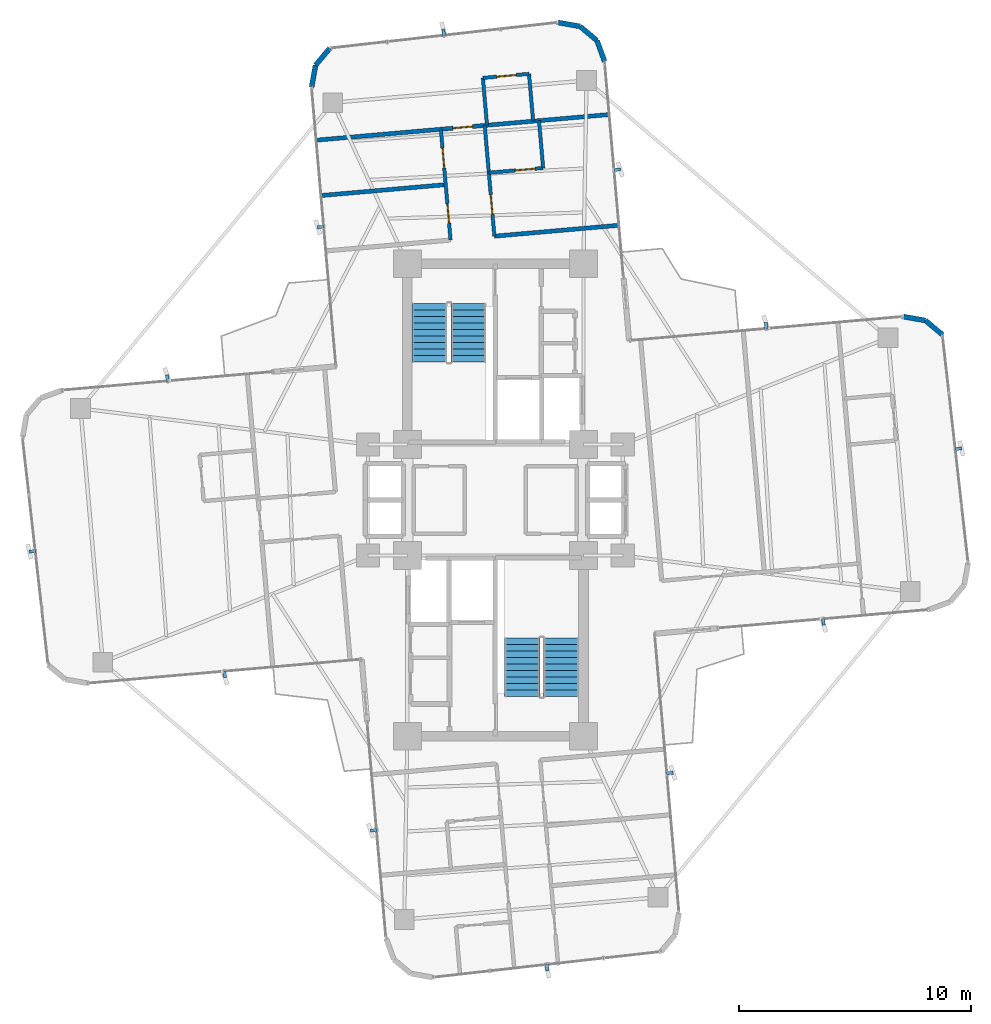
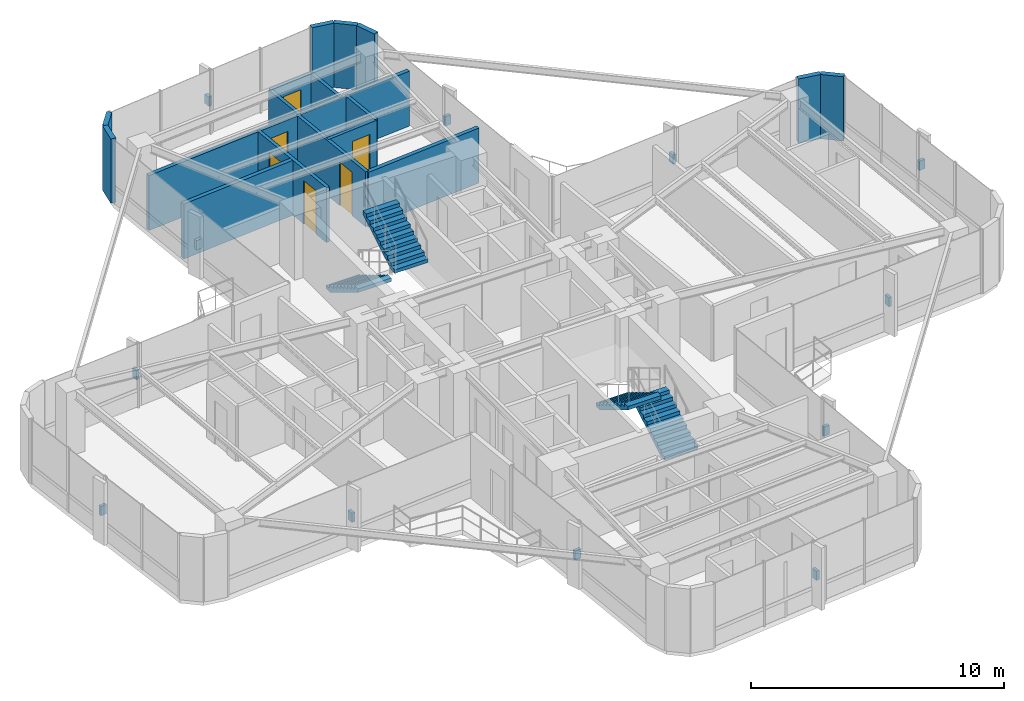
# One storey, part 23 of 24: 17 walls, 12 discrete accessories, 6 doors, 4 stair flights, 6 openings, 2 elements without a shape of their own.
"""IFC4 building model written with IfcOpenShell, lengths in metres."""

from ifc_helpers import new_model, si_unit, direction, frame, frame_2d, origin, origin_2d, place, context, subcontext, project, spatial, polyline, rectangle, outline, extrude, source, transform, mapped, material, layer, layer_set, type_object, element, fill, aggregate, save


model = new_model("IFC4")

# Units and contexts
model_context = context("Model", 3, precision=1e-05, world=origin(), true_north=direction((0.0, 1.0)))
body_context = subcontext(model_context, "Body", "Model", "MODEL_VIEW")
ifc_project = project(units=[si_unit("LENGTHUNIT", "METRE"), si_unit("AREAUNIT", "SQUARE_METRE"), si_unit("VOLUMEUNIT", "CUBIC_METRE"), si_unit("PLANEANGLEUNIT", "RADIAN"), si_unit("MASSUNIT", "GRAM", prefix="KILO")], contexts=[model_context])

# Site, building, storey
site_placement = place(None, origin())
site = spatial("IfcSite", under=ifc_project, at=site_placement, CompositionType="ELEMENT")
building_placement = place(site_placement, origin())
building = spatial("IfcBuilding", under=site, at=building_placement, Name="Sahyath Konkavel Grand Hotel", CompositionType="ELEMENT")
storey_placement = place(building_placement, frame((0.0, 0.0, 181.89990234375)))
storey = spatial("IfcBuildingStorey", under=building, at=storey_placement, Name="L50", CompositionType="ELEMENT", Elevation=181.89990234375)

# Walls
ifc_material_1 = material(Name="Warm Buff Sandstone Insulated Concrete C40/50", Category="masonry")
ifc_layer_1 = layer(ifc_material_1, 0.219970703125)
ifc_layer_set_1 = layer_set([ifc_layer_1], Name="Warm Buff Sandstone Insulated Concrete C40/50")
wall_type_1 = type_object("IfcWallType", Name="WLL-BALC-THRESH", PredefinedType="STANDARD", material=ifc_layer_set_1)
wall_1_placement = place(storey_placement, frame((19.3037109375, 7.134521484375, 0.0), z_axis=(0.0, 0.0, 1.0), x_axis=(-0.766001159887, 0.642839189107, 0.0)))
element("IfcWall", 1, at=wall_1_placement, inside=storey, type_object=wall_type_1, Name="L50 Rounded Corner Sandstone Pier 5", PredefinedType="STANDARD", context=body_context, shape_type="SweptSolid", body=[
    extrude(rectangle(XDim=0.95751953125, YDim=0.219970703125, at=frame_2d((0.478759765625, 0.0))), origin(), (0.0, 0.0, 1.0), 3.110107421875),
])
wall_2_placement = place(storey_placement, frame((18.5703125, 7.75, 0.0), z_axis=(0.0, 0.0, 1.0), x_axis=(-0.984770724397, 0.173858046606, 0.0)))
element("IfcWall", 2, at=wall_2_placement, inside=storey, type_object=wall_type_1, Name="L50 Rounded Corner Sandstone Pier 6", PredefinedType="STANDARD", context=body_context, shape_type="SweptSolid", body=[
    extrude(rectangle(XDim=0.957763671875, YDim=0.219970703125, at=frame_2d((0.47900390625, 0.0))), origin(), (0.0, 0.0, 1.0), 3.110107421875),
])
wall_3_placement = place(storey_placement, frame((4.7177734375, 18.93310546875, 0.0), z_axis=(0.0, 0.0, 1.0), x_axis=(-0.34188635151, 0.939741306239, 0.0)))
element("IfcWall", 3, at=wall_3_placement, inside=storey, type_object=wall_type_1, Name="L50 Rounded Corner Sandstone Pier 9", PredefinedType="STANDARD", context=body_context, shape_type="SweptSolid", body=[
    extrude(rectangle(XDim=0.95751953125, YDim=0.219970703125, at=frame_2d((0.478759765625, 0.0))), origin(), (0.0, 0.0, 1.0), 3.110107421875),
])
for number, where, z_axis, x_axis, name in (
    (4, (4.390380859375, 19.8330078125, 0.0), (0.0, 0.0, 1.0), (-0.765980978054, 0.642863236823, 0.0), "L50 Rounded Corner Sandstone Pier 10"),
    (5, (3.65673828125, 20.44873046875, 0.0), (0.0, 0.0, 1.0), (-0.984814340885, 0.173610811841, 0.0), "L50 Rounded Corner Sandstone Pier 11"),
):
    element("IfcWall", number, at=place(storey_placement, frame(where, z_axis=z_axis, x_axis=x_axis)), inside=storey, type_object=wall_type_1, Name=name, PredefinedType="STANDARD", context=body_context, shape_type="SweptSolid", body=[
        extrude(rectangle(XDim=0.957763671875, YDim=0.219970703125, at=frame_2d((0.47900390625, 0.0))), origin(), (0.0, 0.0, 1.0), 3.110107421875),
    ])
for number, where, z_axis, x_axis, name in (
    (6, (-7.152099609375, 19.5029296875, 0.0), (0.0, 0.0, 1.0), (-0.642713642115, -0.766106503196, 0.0), "L50 Rounded Corner Sandstone Pier 13"),
    (7, (-7.767578125, 18.769287109375, 0.0), (0.0, 0.0, 1.0), (-0.173654409999, -0.984806654064, 0.0), "L50 Rounded Corner Sandstone Pier 14"),
):
    element("IfcWall", number, at=place(storey_placement, frame(where, z_axis=z_axis, x_axis=x_axis)), inside=storey, type_object=wall_type_1, Name=name, PredefinedType="STANDARD", context=body_context, shape_type="SweptSolid", body=[
        extrude(rectangle(XDim=0.95751953125, YDim=0.219970703125, at=frame_2d((0.478759765625, 0.0))), origin(), (0.0, 0.0, 1.0), 3.110107421875),
    ])
ifc_material_2 = material(Name="Twin-Stud Acoustic Gypsum Plasterboard Partition")
ifc_layer_2 = layer(ifc_material_2, 0.179931640625)
ifc_layer_set_2 = layer_set([ifc_layer_2], Name="Twin-Stud Acoustic Gypsum Plasterboard Partition")
wall_type_2 = type_object("IfcWallType", Name="WLL-DEMISE-180", PredefinedType="PARTITIONING", material=ifc_layer_set_2)
for number, where, z_axis, x_axis, name in (
    (8, (5.286865234375, 11.85595703125, 0.0), (0.0, 0.0, 1.0), (-0.996194212812, -0.087161289348, 0.0), "L50 Partition N-INR"),
    (9, (-2.144775390625, 13.614990234375, 0.0), (0.0, 0.0, 1.0), (-0.996194212812, -0.087161289348, 0.0), "L50 Partition N-N4L1-DEM"),
):
    element("IfcWall", number, at=place(storey_placement, frame(where, z_axis=z_axis, x_axis=x_axis)), inside=storey, type_object=wall_type_2, Name=name, PredefinedType="PARTITIONING", context=body_context, shape_type="SweptSolid", body=[
        extrude(rectangle(XDim=5.349853515625, YDim=0.179931640625, at=frame_2d((2.6748046875, 0.0))), origin(), (0.0, 0.0, 1.0), 2.66015625),
    ])

# Wall, opening, door
wall_4_placement = place(storey_placement, frame((4.868408203125, 16.6376953125, 0.0), z_axis=(0.0, 0.0, 1.0), x_axis=(-0.996194790044, -0.087154691724, 0.0)))
wall_4 = element("IfcWall", 10, at=wall_4_placement, inside=storey, type_object=wall_type_2, Name="L50 Partition N-NTIP-END", PredefinedType="PARTITIONING", context=body_context, shape_type="SweptSolid", body=[
    extrude(rectangle(XDim=12.599853515625, YDim=0.179931640625, at=frame_2d((6.2998046875, 0.0))), origin(), (0.0, 0.0, 1.0), 2.66015625),
])
opening_1_placement = place(wall_4_placement, frame((5.875, 0.0, 0.0)))
opening_1 = element("IfcOpeningElement", 11, at=opening_1_placement, cuts=wall_4, Name="Opening D-F06D", PredefinedType="OPENING", context=body_context, shape_type="SweptSolid", body=[
    extrude(rectangle(XDim=0.85009765625, YDim=2.10009765625, at=frame_2d((0.425048828125, 1.050048828125))), frame((0.0, 0.10009765625, 0.0), z_axis=(0.0, -1.0, 0.0), x_axis=(1.0, 0.0, 0.0)), (0.0, 0.0, 1.0), 0.199951171875),
])
ifc_material_3 = material(Name="Fire-Rated Shaft Access Door")
door_type_1 = type_object("IfcDoorType", Name="DR-FD60-850", OperationType="NOTDEFINED", PredefinedType="DOOR", material=ifc_material_3)
shared_shape_1 = source(origin(), body_context, "Body", "SweptSolid", [
    extrude(rectangle(XDim=0.85009765625, YDim=0.050048828125, at=origin_2d()), origin(), (0.0, 0.0, 1.0), 2.10009765625),
])
door_1_placement = place(opening_1_placement, frame((0.425048828125, 0.0, 0.0)))
door_1 = element("IfcDoor", 12, at=door_1_placement, inside=storey, type_object=door_type_1, Name="L50 Door N-NTIP-ED", OperationType="SINGLE_SWING_LEFT", OverallHeight=2.10009765625, OverallWidth=0.85009765625, PredefinedType="DOOR", context=body_context, shape_type="MappedRepresentation", body=[
    mapped(shared_shape_1, transform((0.0, 0.0, 0.0), scale=1.0)),
])
fill(opening_1, door_1)

# Wall, openings, doors
ifc_material_4 = material(Name="Fire-Rated Gypsum Plasterboard Partition")
ifc_layer_3 = layer(ifc_material_4, 0.14990234375)
ifc_layer_set_3 = layer_set([ifc_layer_3], Name="Fire-Rated Gypsum Plasterboard Partition")
wall_type_3 = type_object("IfcWallType", Name="WLL-PART-150", PredefinedType="PARTITIONING", material=ifc_layer_set_3)
wall_5_placement = place(storey_placement, frame((-1.935546875, 11.22412109375, 0.0), z_axis=(0.0, 0.0, 1.0), x_axis=(-0.087182724829, 0.996192337097, 0.0)))
wall_5 = element("IfcWall", 13, at=wall_5_placement, inside=storey, type_object=wall_type_3, Name="L50 Partition N-CL", PredefinedType="PARTITIONING", context=body_context, shape_type="SweptSolid", body=[
    extrude(rectangle(XDim=4.7998046875, YDim=0.14990234375, at=frame_2d((2.39990234375, 0.0))), origin(), (0.0, 0.0, 1.0), 2.66015625),
])
opening_2_placement = place(wall_5_placement, frame((0.72509765625, 0.0, 0.0)))
opening_2 = element("IfcOpeningElement", 14, at=opening_2_placement, cuts=wall_5, Name="Opening D-F06D", PredefinedType="OPENING", context=body_context, shape_type="SweptSolid", body=[
    extrude(rectangle(XDim=0.85009765625, YDim=2.10009765625, at=frame_2d((0.425048828125, 1.050048828125))), frame((0.0, 0.0849609375, 0.0), z_axis=(0.0, -1.0, 0.0), x_axis=(1.0, 0.0, 0.0)), (0.0, 0.0, 1.0), 0.169921875),
])
opening_3_placement = place(wall_5_placement, frame((3.125, 0.0, 0.0)))
opening_3 = element("IfcOpeningElement", 15, at=opening_3_placement, cuts=wall_5, Name="Opening D-F06D", PredefinedType="OPENING", context=body_context, shape_type="SweptSolid", body=[
    extrude(rectangle(XDim=0.85009765625, YDim=2.10009765625, at=frame_2d((0.425048828125, 1.050048828125))), frame((0.0, 0.0849609375, 0.0), z_axis=(0.0, -1.0, 0.0), x_axis=(1.0, 0.0, 0.0)), (0.0, 0.0, 1.0), 0.169921875),
])
door_2_placement = place(opening_2_placement, frame((0.425048828125, 0.0, 0.0)))
door_2 = element("IfcDoor", 16, at=door_2_placement, inside=storey, type_object=door_type_1, Name="L50 Door N-N4L1-D", OperationType="SINGLE_SWING_RIGHT", OverallHeight=2.10009765625, OverallWidth=0.85009765625, PredefinedType="DOOR", context=body_context, shape_type="MappedRepresentation", body=[
    mapped(shared_shape_1, transform((0.0, 0.0, 0.0), scale=1.0)),
])
fill(opening_2, door_2)
door_3_placement = place(opening_3_placement, frame((0.425048828125, 0.0, 0.0)))
door_3 = element("IfcDoor", 17, at=door_3_placement, inside=storey, type_object=door_type_1, Name="L50 Door N-N4L2-D", OperationType="SINGLE_SWING_LEFT", OverallHeight=2.10009765625, OverallWidth=0.85009765625, PredefinedType="DOOR", context=body_context, shape_type="MappedRepresentation", body=[
    mapped(shared_shape_1, transform((0.0, 0.0, 0.0), scale=1.0)),
])
fill(opening_3, door_3)

# Wall, opening, door
wall_6_placement = place(storey_placement, frame((-0.042724609375, 11.3896484375, 0.0), z_axis=(0.0, 0.0, 1.0), x_axis=(-0.087178307383, 0.996192723684, 0.0)))
wall_6 = element("IfcWall", 18, at=wall_6_placement, inside=storey, type_object=wall_type_3, Name="L50 Partition N-CR", PredefinedType="PARTITIONING", context=body_context, shape_type="SweptSolid", body=[
    extrude(rectangle(XDim=4.800048828125, YDim=0.14990234375, at=frame_2d((2.39990234375, 0.0))), origin(), (0.0, 0.0, 1.0), 2.66015625),
])
opening_4_placement = place(wall_6_placement, frame((0.949951171875, 0.0, 0.0)))
opening_4 = element("IfcOpeningElement", 19, at=opening_4_placement, cuts=wall_6, Name="Opening D-F06D", PredefinedType="OPENING", context=body_context, shape_type="SweptSolid", body=[
    extrude(rectangle(XDim=0.85009765625, YDim=2.10009765625, at=frame_2d((0.425048828125, 1.050048828125))), frame((0.0, 0.0849609375, 0.0), z_axis=(0.0, -1.0, 0.0), x_axis=(1.0, 0.0, 0.0)), (0.0, 0.0, 1.0), 0.169921875),
])
door_4_placement = place(opening_4_placement, frame((0.425048828125, 0.0, 0.0)))
door_4 = element("IfcDoor", 20, at=door_4_placement, inside=storey, type_object=door_type_1, Name="L50 Door N-N4R1-ED", OperationType="SINGLE_SWING_LEFT", OverallHeight=2.10009765625, OverallWidth=0.85009765625, PredefinedType="DOOR", context=body_context, shape_type="MappedRepresentation", body=[
    mapped(shared_shape_1, transform((0.0, 0.0, 0.0), scale=1.0)),
])
fill(opening_4, door_4)

wall_7_placement = place(storey_placement, frame((-0.282470703125, 14.129150390625, 0.0), z_axis=(0.0, 0.0, 1.0), x_axis=(0.996197656711, 0.087121918963, 0.0)))
wall_7 = element("IfcWall", 21, at=wall_7_placement, inside=storey, type_object=wall_type_3, Name="L50 Partition N-N4R1-BS", PredefinedType="PARTITIONING", context=body_context, shape_type="SweptSolid", body=[
    extrude(rectangle(XDim=2.35400390625, YDim=0.14990234375, at=frame_2d((1.177001953125, 0.0))), origin(), (0.0, 0.0, 1.0), 2.66015625),
])
opening_5_placement = place(wall_7_placement, frame((1.154052734375, 0.0, 0.0)))
opening_5 = element("IfcOpeningElement", 22, at=opening_5_placement, cuts=wall_7, Name="Opening D-BT85", PredefinedType="OPENING", context=body_context, shape_type="SweptSolid", body=[
    extrude(rectangle(XDim=0.85009765625, YDim=2.10009765625, at=frame_2d((0.425048828125, 1.050048828125))), frame((0.0, 0.0849609375, 0.0), z_axis=(0.0, -1.0, 0.0), x_axis=(1.0, 0.0, 0.0)), (0.0, 0.0, 1.0), 0.169921875),
])
ifc_material_5 = material(Name="Moisture-Resistant Teak Bathroom Door")
door_type_2 = type_object("IfcDoorType", Name="DR-BATH-850", OperationType="NOTDEFINED", PredefinedType="DOOR", material=ifc_material_5)
door_5_placement = place(opening_5_placement, frame((0.425048828125, 0.0, 0.0)))
door_5 = element("IfcDoor", 23, at=door_5_placement, inside=storey, type_object=door_type_2, Name="L50 Door N-N4R1-BD", OperationType="SINGLE_SWING_RIGHT", OverallHeight=2.10009765625, OverallWidth=0.85009765625, PredefinedType="DOOR", context=body_context, shape_type="MappedRepresentation", body=[
    mapped(shared_shape_1, transform((0.0, 0.0, 0.0), scale=1.0)),
])
fill(opening_5, door_5)

# Walls
for number, where, z_axis, x_axis, name in (
    (24, (2.0625, 14.334228515625, 0.0), (0.0, 0.0, 1.0), (-0.087174336889, 0.99619307114, 0.0), "L50 Partition N-N4R1-BF"),
    (25, (-0.361572265625, 16.18017578125, 0.0), (0.0, 0.0, 1.0), (-0.087174336889, 0.99619307114, 0.0), "L50 Partition N-NTIP-BN"),
):
    element("IfcWall", number, at=place(storey_placement, frame(where, z_axis=z_axis, x_axis=x_axis)), inside=storey, type_object=wall_type_3, Name=name, PredefinedType="PARTITIONING", context=body_context, shape_type="SweptSolid", body=[
        extrude(rectangle(XDim=2.050048828125, YDim=0.14990234375, at=frame_2d((1.02490234375, 0.0))), origin(), (0.0, 0.0, 1.0), 2.66015625),
    ])
wall_8_placement = place(storey_placement, frame((1.630859375, 16.3544921875, 0.0), z_axis=(0.0, 0.0, 1.0), x_axis=(-0.087184680235, 0.996192165966, 0.0)))
element("IfcWall", 26, at=wall_8_placement, inside=storey, type_object=wall_type_3, Name="L50 Partition N-NTIP-BS", PredefinedType="PARTITIONING", context=body_context, shape_type="SweptSolid", body=[
    extrude(rectangle(XDim=2.0498046875, YDim=0.14990234375, at=frame_2d((1.02490234375, 0.0))), origin(), (0.0, 0.0, 1.0), 2.66015625),
])

# Wall, opening, door
wall_9_placement = place(storey_placement, frame((1.4521484375, 18.396484375, 0.0), z_axis=(0.0, 0.0, 1.0), x_axis=(-0.996205236158, -0.087035208109, 0.0)))
wall_9 = element("IfcWall", 27, at=wall_9_placement, inside=storey, type_object=wall_type_3, Name="L50 Partition N-NTIP-BE", PredefinedType="PARTITIONING", context=body_context, shape_type="SweptSolid", body=[
    extrude(rectangle(XDim=2.0, YDim=0.14990234375, at=frame_2d((1.0, 0.0))), origin(), (0.0, 0.0, 1.0), 2.66015625),
])
opening_6_placement = place(wall_9_placement, frame((0.550048828125, 0.0, 0.0)))
opening_6 = element("IfcOpeningElement", 28, at=opening_6_placement, cuts=wall_9, Name="Opening D-BT85", PredefinedType="OPENING", context=body_context, shape_type="SweptSolid", body=[
    extrude(rectangle(XDim=0.85009765625, YDim=2.10009765625, at=frame_2d((0.425048828125, 1.050048828125))), frame((0.0, 0.0849609375, 0.0), z_axis=(0.0, -1.0, 0.0), x_axis=(1.0, 0.0, 0.0)), (0.0, 0.0, 1.0), 0.169921875),
])
door_6_placement = place(opening_6_placement, frame((0.425048828125, 0.0, 0.0)))
door_6 = element("IfcDoor", 29, at=door_6_placement, inside=storey, type_object=door_type_2, Name="L50 Door N-NTIP-BD", OperationType="SINGLE_SWING_RIGHT", OverallHeight=2.10009765625, OverallWidth=0.85009765625, PredefinedType="DOOR", context=body_context, shape_type="MappedRepresentation", body=[
    mapped(shared_shape_1, transform((0.0, 0.0, 0.0), scale=1.0)),
])
fill(opening_6, door_6)

# Stair, stair flights
ifc_material_6 = material(Name="Concrete C40/50", Category="concrete")
stair_type = type_object("IfcStairType", Name="STR-ST16-335", PredefinedType="HALF_TURN_STAIR", material=ifc_material_6)
stair_1_placement = place(storey_placement, origin())
stair_1 = element("IfcStair", 30, at=stair_1_placement, inside=storey, type_object=stair_type, Name="L50 North Core Smokeproof Exit Stair ST-1", PredefinedType="HALF_TURN_STAIR")
stair_flight_type = type_object("IfcStairFlightType", Name="STF-ST16-335", PredefinedType="STRAIGHT", material=ifc_material_6)
stair_flight_1_placement = place(storey_placement, frame((-2.840087890625, 8.47998046875, 0.0), z_axis=(0.0, 0.0, 1.0), x_axis=(0.0, -1.0, 0.0)))
stair_flight_1 = element("IfcStairFlight", 31, at=stair_flight_1_placement, type_object=stair_flight_type, Name="ST-1 flight 1", NumberOfRisers=10, NumberOfTreads=9, PredefinedType="STRAIGHT", RiserHeight=0.1675, TreadLength=0.28, context=body_context, shape_type="SweptSolid", body=[
    extrude(outline(polyline([(0.0, 0.0), (0.0, 0.16748046875), (0.280029296875, 0.16748046875), (0.280029296875, 0.3349609375), (0.56005859375, 0.3349609375), (0.56005859375, 0.50244140625), (0.840087890625, 0.50244140625), (0.840087890625, 0.669921875), (1.1201171875, 0.669921875), (1.1201171875, 0.83740234375), (1.39990234375, 0.83740234375), (1.39990234375, 1.0048828125), (1.679931640625, 1.0048828125), (1.679931640625, 1.172607421875), (1.9599609375, 1.172607421875), (1.9599609375, 1.340087890625), (2.239990234375, 1.340087890625), (2.239990234375, 1.507568359375), (2.52001953125, 1.507568359375), (2.52001953125, 1.675048828125), (2.52001953125, 1.332763671875), (0.2919921875, 0.0), (0.0, 0.0)])), frame((0.0, 0.760009765625, 0.0), z_axis=(0.0, -1.0, 0.0), x_axis=(1.0, 0.0, 0.0)), (0.0, 0.0, 1.0), 1.52001953125),
])
stair_flight_2_placement = place(storey_placement, frame((-1.159912109375, 5.9599609375, 1.675048828125), z_axis=(0.0, 0.0, 1.0), x_axis=(0.0, 1.0, 0.0)))
stair_flight_2 = element("IfcStairFlight", 32, at=stair_flight_2_placement, type_object=stair_flight_type, Name="ST-1 flight 2", NumberOfRisers=10, NumberOfTreads=9, PredefinedType="STRAIGHT", RiserHeight=0.1675, TreadLength=0.28, context=body_context, shape_type="SweptSolid", body=[
    extrude(outline(polyline([(0.0, 0.0), (0.0, 0.16748046875), (0.280029296875, 0.16748046875), (0.280029296875, 0.3349609375), (0.56005859375, 0.3349609375), (0.56005859375, 0.50244140625), (0.840087890625, 0.50244140625), (0.840087890625, 0.669921875), (1.1201171875, 0.669921875), (1.1201171875, 0.83740234375), (1.39990234375, 0.83740234375), (1.39990234375, 1.0048828125), (1.679931640625, 1.0048828125), (1.679931640625, 1.172607421875), (1.9599609375, 1.172607421875), (1.9599609375, 1.340087890625), (2.239990234375, 1.340087890625), (2.239990234375, 1.507568359375), (2.52001953125, 1.507568359375), (2.52001953125, 1.675048828125), (2.52001953125, 1.332763671875), (0.2919921875, 0.0), (0.0, 0.0)])), frame((0.0, 0.760009765625, 0.0), z_axis=(0.0, -1.0, 0.0), x_axis=(1.0, 0.0, 0.0)), (0.0, 0.0, 1.0), 1.52001953125),
])
aggregate(stair_1, [stair_flight_1, stair_flight_2])

stair_2_placement = place(storey_placement, origin())
stair_2 = element("IfcStair", 33, at=stair_2_placement, inside=storey, type_object=stair_type, Name="L50 South Core Smokeproof Exit Stair ST-2", PredefinedType="HALF_TURN_STAIR")
stair_flight_3_placement = place(storey_placement, frame((2.840087890625, -8.47998046875, 0.0), z_axis=(0.0, 0.0, 1.0), x_axis=(0.0, 1.0, 0.0)))
stair_flight_3 = element("IfcStairFlight", 34, at=stair_flight_3_placement, type_object=stair_flight_type, Name="ST-2 flight 1", NumberOfRisers=10, NumberOfTreads=9, PredefinedType="STRAIGHT", RiserHeight=0.1675, TreadLength=0.28, context=body_context, shape_type="SweptSolid", body=[
    extrude(outline(polyline([(0.0, 0.0), (0.0, 0.16748046875), (0.280029296875, 0.16748046875), (0.280029296875, 0.3349609375), (0.56005859375, 0.3349609375), (0.56005859375, 0.50244140625), (0.840087890625, 0.50244140625), (0.840087890625, 0.669921875), (1.1201171875, 0.669921875), (1.1201171875, 0.83740234375), (1.39990234375, 0.83740234375), (1.39990234375, 1.0048828125), (1.679931640625, 1.0048828125), (1.679931640625, 1.172607421875), (1.9599609375, 1.172607421875), (1.9599609375, 1.340087890625), (2.239990234375, 1.340087890625), (2.239990234375, 1.507568359375), (2.52001953125, 1.507568359375), (2.52001953125, 1.675048828125), (2.52001953125, 1.332763671875), (0.2919921875, 0.0), (0.0, 0.0)])), frame((0.0, 0.760009765625, 0.0), z_axis=(0.0, -1.0, 0.0), x_axis=(1.0, 0.0, 0.0)), (0.0, 0.0, 1.0), 1.52001953125),
])
stair_flight_4_placement = place(storey_placement, frame((1.159912109375, -5.9599609375, 1.675048828125), z_axis=(0.0, 0.0, 1.0), x_axis=(0.0, -1.0, 0.0)))
stair_flight_4 = element("IfcStairFlight", 35, at=stair_flight_4_placement, type_object=stair_flight_type, Name="ST-2 flight 2", NumberOfRisers=10, NumberOfTreads=9, PredefinedType="STRAIGHT", RiserHeight=0.1675, TreadLength=0.28, context=body_context, shape_type="SweptSolid", body=[
    extrude(outline(polyline([(0.0, 0.0), (0.0, 0.16748046875), (0.280029296875, 0.16748046875), (0.280029296875, 0.3349609375), (0.56005859375, 0.3349609375), (0.56005859375, 0.50244140625), (0.840087890625, 0.50244140625), (0.840087890625, 0.669921875), (1.1201171875, 0.669921875), (1.1201171875, 0.83740234375), (1.39990234375, 0.83740234375), (1.39990234375, 1.0048828125), (1.679931640625, 1.0048828125), (1.679931640625, 1.172607421875), (1.9599609375, 1.172607421875), (1.9599609375, 1.340087890625), (2.239990234375, 1.340087890625), (2.239990234375, 1.507568359375), (2.52001953125, 1.507568359375), (2.52001953125, 1.675048828125), (2.52001953125, 1.332763671875), (0.2919921875, 0.0), (0.0, 0.0)])), frame((0.0, 0.760009765625, 0.0), z_axis=(0.0, -1.0, 0.0), x_axis=(1.0, 0.0, 0.0)), (0.0, 0.0, 1.0), 1.52001953125),
])
aggregate(stair_2, [stair_flight_3, stair_flight_4])

# Discrete accessories
ifc_material_7 = material(Name="Steel E350", Category="steel")
discrete_accessory_type = type_object("IfcDiscreteAccessoryType", Name="ACC-FIN-BRACKET", PredefinedType="BRACKET", material=ifc_material_7)
shared_shape_2 = source(origin(), body_context, "Body", "SweptSolid", [
    extrude(rectangle(XDim=0.280029296875, YDim=0.139892578125, at=origin_2d()), origin(), (0.0, 0.0, 1.0), 0.449951171875),
])
for number, where, z_axis, x_axis, name in (
    (36, (14.162841796875, -5.265625, 1.330078125), (0.0, 0.0, 1.0), (0.087155742748, -0.996194698092, 0.0), "L50 Fin Support Bracket F0-1"),
    (37, (19.989013671875, 2.21630859375, 1.330078125), (0.0, 0.0, 1.0), (0.993709417943, 0.111989252568, 0.0), "L50 Fin Support Bracket F4-2"),
    (38, (11.6884765625, 7.52734375, 1.330078125), (0.0, 0.0, 1.0), (-0.087155742748, 0.996194698092, 0.0), "L50 Fin Support Bracket F7-1"),
    (39, (5.2568359375, 14.262451171875, 1.330078125), (0.0, 0.0, 1.0), (0.996194698092, 0.087155742748, 0.0), "L50 Fin Support Bracket F8-1"),
    (40, (-2.23388671875, 20.188232421875, 1.330078125), (0.0, 0.0, 1.0), (-0.112006596052, 0.993707463211, 0.0), "L50 Fin Support Bracket F12-2"),
    (41, (-7.5361328125, 11.7880859375, 1.330078125), (0.0, 0.0, 1.0), (-0.996194698092, -0.087155742748, 0.0), "L50 Fin Support Bracket F15-1"),
    (42, (-14.162841796875, 5.265625, 1.330078125), (0.0, 0.0, 1.0), (-0.087155742748, 0.996194698092, 0.0), "L50 Fin Support Bracket F16-1"),
    (43, (-19.989013671875, -2.21630859375, 1.330078125), (0.0, 0.0, 1.0), (-0.993709417943, -0.111989252568, 0.0), "L50 Fin Support Bracket F20-2"),
    (44, (-11.6884765625, -7.52734375, 1.330078125), (0.0, 0.0, 1.0), (0.087155742748, -0.996194698092, 0.0), "L50 Fin Support Bracket F23-1"),
    (45, (-5.2568359375, -14.262451171875, 1.330078125), (0.0, 0.0, 1.0), (-0.996194698092, -0.087155742748, 0.0), "L50 Fin Support Bracket F24-1"),
    (46, (2.23388671875, -20.188232421875, 1.330078125), (0.0, 0.0, 1.0), (0.112006596052, -0.993707463211, 0.0), "L50 Fin Support Bracket F28-2"),
    (47, (7.5361328125, -11.7880859375, 1.330078125), (0.0, 0.0, 1.0), (0.996194698092, 0.087155742748, 0.0), "L50 Fin Support Bracket F31-1"),
):
    element("IfcDiscreteAccessory", number, at=place(storey_placement, frame(where, z_axis=z_axis, x_axis=x_axis)), inside=storey, type_object=discrete_accessory_type, Name=name, PredefinedType="BRACKET", context=body_context, shape_type="MappedRepresentation", body=[
        mapped(shared_shape_2, transform((0.0, 0.0, 0.0), scale=1.0)),
    ])

save(model, "model.ifc")
